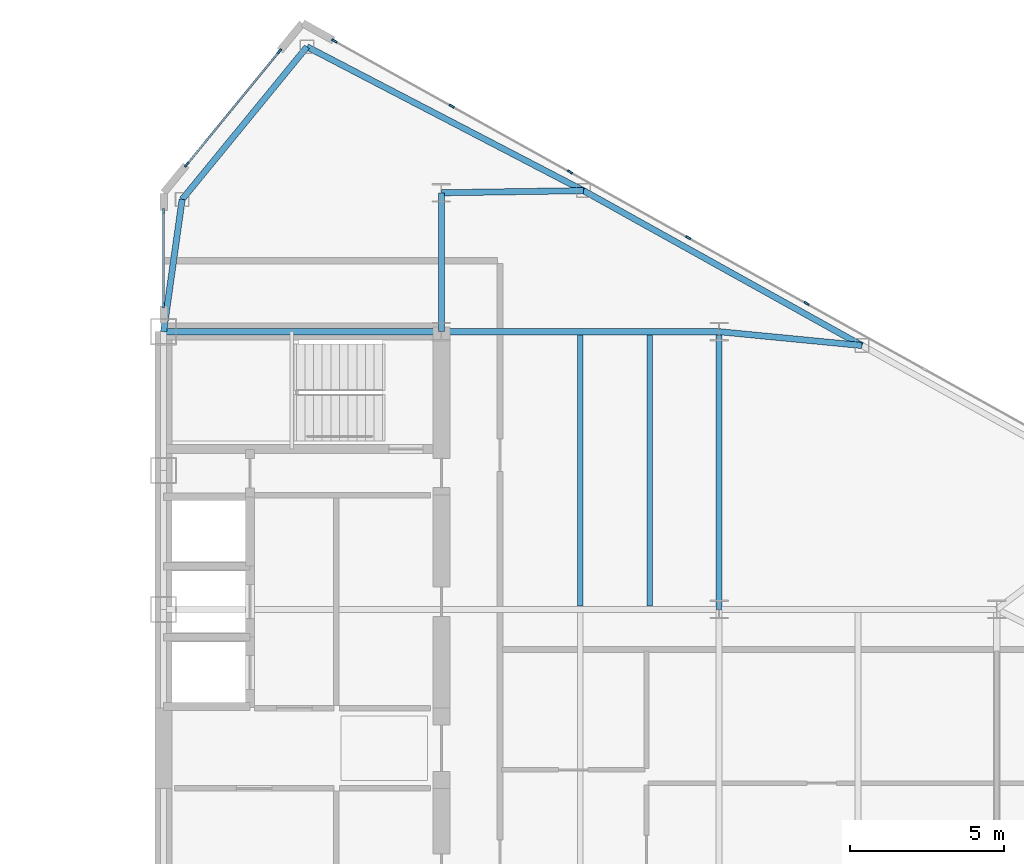
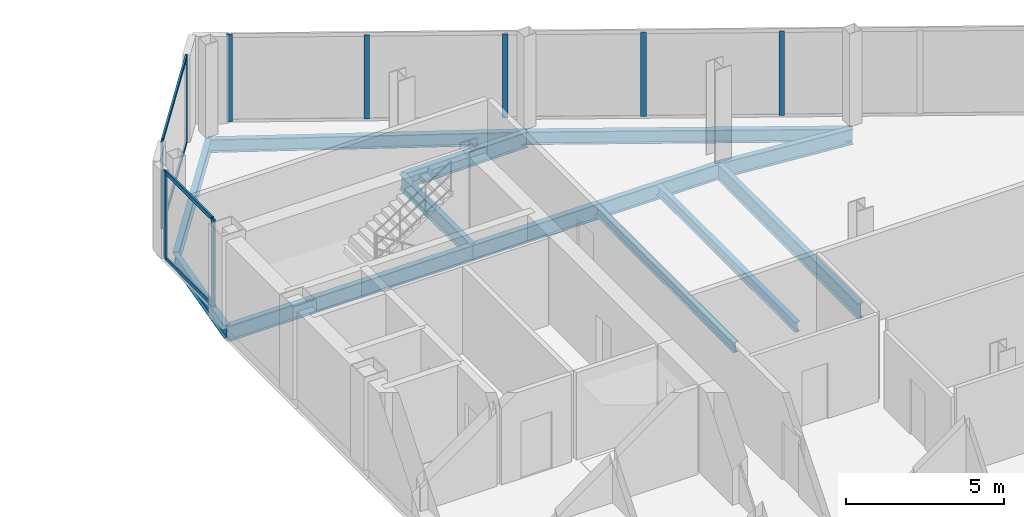
# One storey, part 15 of 25: 13 members, 12 beams, 3 elements without a shape of their own.
"""IFC4 building model written with IfcOpenShell, lengths in metres."""

import ifcopenshell
import ifcopenshell.guid

model = None  # the IFC model being written
_history = None  # IfcOwnerHistory: only IFC2X3 demands one
_inside = {}  # id of a spatial element -> (the spatial element, [elements in it])
_under = {}  # id of a project, library or spatial element -> (it, [spatial elements below it])
_declared = {}  # id of a project -> (the project, [libraries it declares])
_typed = {}  # id of a type object -> (the type object, [elements of that type])
_made_of = {}  # id of a material, layer set ... -> (it, [elements and type objects made of it])


def new_model(schema):
    """Start an empty IFC model of exactly this schema.

    Asked for "IFC4X3", IfcOpenShell would pick the latest addendum, in which some entities
    have other attributes; the version numbers below select the first issue.
    IFC2X3 requires an IfcOwnerHistory on every rooted entity: one is made here for all.
    """
    global model, _history
    if schema == "IFC4X3":
        model = ifcopenshell.file(schema_version=(4, 3, 0, 0))
    else:
        model = ifcopenshell.file(schema=schema)
    _inside.clear()
    _under.clear()
    _declared.clear()
    _typed.clear()
    _made_of.clear()
    _history = None
    if model.schema == "IFC2X3":
        org = make("IfcOrganization", Name="unknown")
        user = make(
            "IfcPersonAndOrganization",
            ThePerson=make("IfcPerson", FamilyName="unknown"),
            TheOrganization=org,
        )
        app = make(
            "IfcApplication",
            ApplicationDeveloper=org,
            Version="unknown",
            ApplicationFullName="unknown",
            ApplicationIdentifier="unknown",
        )
        _history = make(
            "IfcOwnerHistory",
            OwningUser=user,
            OwningApplication=app,
            ChangeAction="ADDED",
            CreationDate=0,
        )
    return model


def make(cls, **values):
    """One entity of the class cls with the attributes given. An attribute that is None is left unset."""
    return model.create_entity(
        cls, **{name: value for name, value in values.items() if value is not None}
    )


def rooted(cls, **values):
    """An entity with a GlobalId (a new one), such as an element, a storey or a relation."""
    return make(cls, GlobalId=ifcopenshell.guid.new(), OwnerHistory=_history, **values)


def si_unit(unit_type, name, prefix=None):
    """IfcSIUnit, for example si_unit("LENGTHUNIT", "METRE", prefix="MILLI")."""
    return make("IfcSIUnit", UnitType=unit_type, Prefix=prefix, Name=name)


def assignment(units):
    """IfcUnitAssignment: the units of a project."""
    return None if units is None else make("IfcUnitAssignment", Units=units)


def point(xyz):
    """IfcCartesianPoint."""
    return None if xyz is None else make("IfcCartesianPoint", Coordinates=xyz)


def direction(xyz):
    """IfcDirection."""
    return None if xyz is None else make("IfcDirection", DirectionRatios=xyz)


def frame(location, z_axis=None, x_axis=None):
    """IfcAxis2Placement3D, a coordinate frame: its origin and axes. An axis left out is left unset."""
    return make(
        "IfcAxis2Placement3D",
        Location=point(location),
        Axis=direction(z_axis),
        RefDirection=direction(x_axis),
    )


def frame_2d(location, x_axis=None):
    """IfcAxis2Placement2D, a coordinate frame in the plane: its origin and x axis."""
    return make(
        "IfcAxis2Placement2D", Location=point(location), RefDirection=direction(x_axis)
    )


def origin():
    """The frame at (0, 0, 0) with its axes left unset."""
    return frame((0.0, 0.0, 0.0))


def origin_2d():
    """The frame at (0, 0) in the plane with its x axis left unset."""
    return frame_2d((0.0, 0.0))


def place(relative_to, where):
    """IfcLocalPlacement: puts the frame where relative to a parent placement (None: the world)."""
    return make(
        "IfcLocalPlacement", PlacementRelTo=relative_to, RelativePlacement=where
    )


def context(
    kind, dimensions, precision=None, world=None, true_north=None, identifier=None
):
    """IfcGeometricRepresentationContext, for example the 3D "Model" context."""
    return make(
        "IfcGeometricRepresentationContext",
        ContextIdentifier=identifier,
        ContextType=kind,
        CoordinateSpaceDimension=dimensions,
        Precision=precision,
        WorldCoordinateSystem=world,
        TrueNorth=true_north,
    )


def subcontext(parent, identifier, kind, view, scale=None):
    """IfcGeometricRepresentationSubContext, for example "Body" below "Model"."""
    return make(
        "IfcGeometricRepresentationSubContext",
        ContextIdentifier=identifier,
        ContextType=kind,
        ParentContext=parent,
        TargetScale=scale,
        TargetView=view,
    )


def project(units=None, contexts=None):
    """IfcProject with its units and contexts."""
    return rooted(
        "IfcProject",
        Name="project",
        RepresentationContexts=contexts,
        UnitsInContext=assignment(units),
    )


def spatial(cls, under=None, at=None, **own):
    """A site, building, storey or space (cls), placed at a placement, below another one or the project."""
    s = rooted(cls, ObjectPlacement=at, **own)
    if under is not None:
        _under.setdefault(under.id(), (under, []))[1].append(s)
    return s


def profile(cls, at=None, kind="AREA", **sizes):
    """A parametric profile (cls). Its sizes go by their IFC names, for example OverallWidth=200.0."""
    return make(cls, ProfileType=kind, Position=at, **sizes)


def rectangle(**sizes):
    """IfcRectangleProfileDef."""
    return profile("IfcRectangleProfileDef", **sizes)


def i_section(**sizes):
    """IfcIShapeProfileDef."""
    return profile("IfcIShapeProfileDef", **sizes)


def extrude(swept, where, along, depth):
    """IfcExtrudedAreaSolid: the profile swept, set in the frame where, extruded along a direction by depth."""
    return make(
        "IfcExtrudedAreaSolid",
        SweptArea=swept,
        Position=where,
        ExtrudedDirection=direction(along),
        Depth=depth,
    )


def shape(context_of_items, identifier, shape_type, items):
    """IfcShapeRepresentation: the items that make up one representation, for example the "Body"."""
    return make(
        "IfcShapeRepresentation",
        ContextOfItems=context_of_items,
        RepresentationIdentifier=identifier,
        RepresentationType=shape_type,
        Items=items,
    )


def source(mapping_origin, context_of_items, identifier, shape_type, items):
    """IfcRepresentationMap: a shape defined once, which mapped items show again and again."""
    return make(
        "IfcRepresentationMap",
        MappingOrigin=mapping_origin,
        MappedRepresentation=shape(context_of_items, identifier, shape_type, items),
    )


def transform(
    local_origin,
    x_axis=None,
    y_axis=None,
    z_axis=None,
    scale=None,
    scale2=None,
    scale3=None,
    uniform=True,
):
    """IfcCartesianTransformationOperator3D, or its non-uniform kind. x_axis, y_axis, z_axis: its Axis1, 2, 3."""
    if uniform:
        return make(
            "IfcCartesianTransformationOperator3D",
            Axis1=direction(x_axis),
            Axis2=direction(y_axis),
            LocalOrigin=point(local_origin),
            Scale=scale,
            Axis3=direction(z_axis),
        )
    return make(
        "IfcCartesianTransformationOperator3DnonUniform",
        Axis1=direction(x_axis),
        Axis2=direction(y_axis),
        LocalOrigin=point(local_origin),
        Scale=scale,
        Axis3=direction(z_axis),
        Scale2=scale2,
        Scale3=scale3,
    )


def mapped(mapping_source, mapping_target):
    """IfcMappedItem: shows the shape of a source again, moved by a transform."""
    return make(
        "IfcMappedItem", MappingSource=mapping_source, MappingTarget=mapping_target
    )


def material(Name=None, Category=None):
    """IfcMaterial."""
    return make("IfcMaterial", Name=Name, Category=Category)


def layer(
    of_material, thickness, ventilated=None, Name=None, Category=None, Priority=None
):
    """IfcMaterialLayer: one layer of a wall or slab, of a material (None: an air gap)."""
    return make(
        "IfcMaterialLayer",
        Material=of_material,
        LayerThickness=thickness,
        IsVentilated=ventilated,
        Name=Name,
        Category=Category,
        Priority=Priority,
    )


def layer_set(layers, Name=None):
    """IfcMaterialLayerSet."""
    return make("IfcMaterialLayerSet", MaterialLayers=layers, LayerSetName=Name)


def material_profile(
    of_material, cross_section, Name=None, Category=None, Priority=None
):
    """IfcMaterialProfile: a cross section and its material."""
    return make(
        "IfcMaterialProfile",
        Name=Name,
        Material=of_material,
        Profile=cross_section,
        Priority=Priority,
        Category=Category,
    )


def profile_set(profiles, Name=None, composite=None):
    """IfcMaterialProfileSet."""
    return make(
        "IfcMaterialProfileSet",
        Name=Name,
        MaterialProfiles=profiles,
        CompositeProfile=composite,
    )


def made_of(thing, what):
    """Note that an element or type object is made of a material, layer set ...; save() writes the relation."""
    if what is not None:
        _made_of.setdefault(what.id(), (what, []))[1].append(thing)
    return thing


def type_object(cls, material=None, **own):
    """A type object (cls), such as IfcWallType, which elements share."""
    return made_of(rooted(cls, **own), material)


def type_shapes(of_type, sources):
    """Give a type object the sources (RepresentationMaps) that its elements show as mapped items."""
    of_type.RepresentationMaps = sources


def element(
    cls,
    number,
    at=None,
    inside=None,
    cuts=None,
    type_object=None,
    material=None,
    context=None,
    identifier="Body",
    shape_type=None,
    held_by="IfcProductDefinitionShape",
    body=None,
    shapes=None,
    **own,
):
    """One element of the class cls, such as IfcWall. Its Tag is "e" and its number.

    at: its placement. inside: the storey or other place that contains it. cuts: it is an
    opening in that element (IfcRelVoidsElement). A single representation is given by context,
    identifier, shape_type and body (its items); several are given by shapes. held_by: the class
    of the entity that holds the representations. save() writes the other relations.
    """
    e = rooted(cls, Tag="e%d" % number, ObjectPlacement=at, **own)
    if body is not None:
        shapes = [shape(context, identifier, shape_type, body)]
    if shapes is not None:
        e.Representation = make(held_by, Representations=shapes)
    if inside is not None:
        _inside.setdefault(inside.id(), (inside, []))[1].append(e)
    if cuts is not None:
        rooted(
            "IfcRelVoidsElement", RelatingBuildingElement=cuts, RelatedOpeningElement=e
        )
    if type_object is not None:
        _typed.setdefault(type_object.id(), (type_object, []))[1].append(e)
    return made_of(e, material)


def aggregate(whole, parts):
    """IfcRelAggregates: a whole, such as a stair, and the parts it consists of."""
    return rooted("IfcRelAggregates", RelatingObject=whole, RelatedObjects=parts)


def save(model, path):
    """Write the relations noted so far, then the file.

    IfcRelAggregates (storeys below a building ...), IfcRelContainedInSpatialStructure (elements
    in a storey), IfcRelDefinesByType, IfcRelAssociatesMaterial and IfcRelDeclares: one each for
    every whole, place, type object, material and project.
    """
    for whole, parts in _under.values():
        aggregate(whole, parts)
    for where, things in _inside.values():
        rooted(
            "IfcRelContainedInSpatialStructure",
            RelatedElements=things,
            RelatingStructure=where,
        )
    for kind, things in _typed.values():
        rooted("IfcRelDefinesByType", RelatedObjects=things, RelatingType=kind)
    for what, things in _made_of.values():
        rooted("IfcRelAssociatesMaterial", RelatedObjects=things, RelatingMaterial=what)
    for by, libraries in _declared.values():
        rooted("IfcRelDeclares", RelatingContext=by, RelatedDefinitions=libraries)
    model.write(path)


model = new_model("IFC4")

# Units and contexts
model_context = context("Model", 3, precision=1e-05, world=origin(), true_north=direction((0.0, 1.0)))
body_context = subcontext(model_context, "Body", "Model", "MODEL_VIEW")
ifc_project = project(units=[si_unit("LENGTHUNIT", "METRE"), si_unit("AREAUNIT", "SQUARE_METRE"), si_unit("VOLUMEUNIT", "CUBIC_METRE"), si_unit("PLANEANGLEUNIT", "RADIAN"), si_unit("MASSUNIT", "GRAM", prefix="KILO")], contexts=[model_context])

# Site, building, storey
site_placement = place(None, origin())
site = spatial("IfcSite", under=ifc_project, at=site_placement, CompositionType="ELEMENT")
building_placement = place(site_placement, origin())
building = spatial("IfcBuilding", under=site, at=building_placement, Name="Seokmaru Belvedere", CompositionType="ELEMENT")
storey_placement = place(building_placement, frame((0.0, 0.0, 188.699951171875)))
storey = spatial("IfcBuildingStorey", under=building, at=storey_placement, Name="L50", CompositionType="ELEMENT", Elevation=188.699951171875)

# Beams
ifc_material_1 = material(Name="Steel SM355 (355 MPa)", Category="steel")
ifc_material_profile_1 = material_profile(ifc_material_1, i_section(OverallWidth=0.199951171875, OverallDepth=0.60009765625, WebThickness=0.010986328125, FlangeThickness=0.01708984375, at=origin_2d()), Name="H-600x200x11x17")
ifc_profile_set_1 = profile_set([ifc_material_profile_1], Name="Steel SM355 (355 MPa)")
beam_type_1 = type_object("IfcBeamType", Name="Primary Floor Girder H-600", PredefinedType="BEAM", material=ifc_profile_set_1)
shared_shape_1 = source(origin(), body_context, "Body", "SweptSolid", [
    extrude(i_section(OverallWidth=0.199951171875, OverallDepth=0.60009765625, WebThickness=0.010986328125, FlangeThickness=0.01708984375, at=origin_2d()), origin(), (0.0, 0.0, 1.0), 9.0),
])
for number, where, z_axis, x_axis, name in (
    (1, (45.5, 4.5, -0.52001953125), (0.0, 1.0, 0.0), (-1.0, 0.0, 0.0), "L50 E Interior Grid Girder 3"),
    (2, (27.5, 13.5, -0.52001953125), (1.0, 0.0, 0.0), (0.0, 1.0, 0.0), "L50 E Core Tie Girder 4"),
    (3, (36.5, 13.5, -0.52001953125), (1.0, 0.0, 0.0), (0.0, 1.0, 0.0), "L50 E Wing Primary Girder 4"),
):
    element("IfcBeam", number, at=place(storey_placement, frame(where, z_axis=z_axis, x_axis=x_axis)), inside=storey, type_object=beam_type_1, Name=name, PredefinedType="BEAM", context=body_context, shape_type="MappedRepresentation", body=[
        mapped(shared_shape_1, transform((0.0, 0.0, 0.0), scale=1.0)),
    ])
ifc_material_profile_2 = material_profile(ifc_material_1, i_section(OverallWidth=0.18505859375, OverallDepth=0.389892578125, WebThickness=0.008056640625, FlangeThickness=0.011962890625, at=origin_2d()), Name="H-390x185x8x12")
ifc_profile_set_2 = profile_set([ifc_material_profile_2], Name="Steel SM355 (355 MPa)")
beam_type_2 = type_object("IfcBeamType", Name="Secondary Floor Joist H-350", PredefinedType="JOIST", material=ifc_profile_set_2)
shared_shape_2 = source(origin(), body_context, "Body", "SweptSolid", [
    extrude(i_section(OverallWidth=0.18505859375, OverallDepth=0.389892578125, WebThickness=0.008056640625, FlangeThickness=0.011962890625, at=origin_2d()), origin(), (0.0, 0.0, 1.0), 8.7900390625),
])
type_shapes(beam_type_2, [shared_shape_2])
for number, where, z_axis, x_axis, name in (
    (4, (43.25, 4.60498046875, -0.4150390625), (0.0, 1.0, 0.0), (-1.0, 0.0, 0.0), "L50 E Wing Inner Secondary Joist 2"),
    (5, (41.0, 4.60498046875, -0.4150390625), (0.0, 1.0, 0.0), (-1.0, 0.0, 0.0), "L50 E Secondary Floor Joist 3"),
):
    element("IfcBeam", number, at=place(storey_placement, frame(where, z_axis=z_axis, x_axis=x_axis)), inside=storey, type_object=beam_type_2, Name=name, PredefinedType="JOIST", context=body_context, shape_type="MappedRepresentation", body=[
        mapped(shared_shape_2, transform((0.0, 0.0, 0.0), scale=1.0)),
    ])
shared_shape_3 = source(origin(), body_context, "Body", "SweptSolid", [
    extrude(i_section(OverallWidth=0.199951171875, OverallDepth=0.60009765625, WebThickness=0.010986328125, FlangeThickness=0.01708984375, at=origin_2d()), origin(), (0.0, 0.0, 1.0), 4.5),
])
beam_1_placement = place(storey_placement, frame((36.5, 13.5, -0.52001953125), z_axis=(0.0, 1.0, 0.0), x_axis=(-1.0, 0.0, 0.0)))
element("IfcBeam", 6, at=beam_1_placement, inside=storey, type_object=beam_type_1, Name="L50 E Core Shoulder Girder N", PredefinedType="BEAM", context=body_context, shape_type="MappedRepresentation", body=[
    mapped(shared_shape_3, transform((0.0, 0.0, 0.0), scale=1.0)),
])
ifc_material_profile_3 = material_profile(ifc_material_1, i_section(OverallWidth=0.199951171875, OverallDepth=0.5, WebThickness=0.010009765625, FlangeThickness=0.01611328125, at=origin_2d()), Name="H-500x200x10x16")
ifc_profile_set_3 = profile_set([ifc_material_profile_3], Name="Steel SM355 (355 MPa)")
beam_type_3 = type_object("IfcBeamType", Name="Perimeter Spandrel Beam H-500", PredefinedType="SPANDREL", material=ifc_profile_set_3)
shared_shape_4 = source(origin(), body_context, "Body", "SweptSolid", [
    extrude(i_section(OverallWidth=0.199951171875, OverallDepth=0.5, WebThickness=0.010009765625, FlangeThickness=0.01611328125, at=origin_2d()), origin(), (0.0, 0.0, 1.0), 10.09716796875),
])
beam_2_placement = place(storey_placement, frame((32.146728515625, 22.731689453125, -0.469970703125), z_axis=(0.887085728914, -0.461604711369, 0.0), x_axis=(0.461604711369, 0.887085728914, 0.0)))
element("IfcBeam", 7, at=beam_2_placement, inside=storey, type_object=beam_type_3, Name="L50 E Faceted Flank Spandrel N-1", PredefinedType="SPANDREL", context=body_context, shape_type="MappedRepresentation", body=[
    mapped(shared_shape_4, transform((0.0, 0.0, 0.0), scale=1.0)),
])
shared_shape_5 = source(origin(), body_context, "Body", "SweptSolid", [
    extrude(i_section(OverallWidth=0.199951171875, OverallDepth=0.5, WebThickness=0.010009765625, FlangeThickness=0.01611328125, at=origin_2d()), origin(), (0.0, 0.0, 1.0), 10.327392578125),
])
beam_3_placement = place(storey_placement, frame((41.103759765625, 18.07080078125, -0.469970703125), z_axis=(0.873924120588, -0.486062374037, 0.0), x_axis=(0.486062374037, 0.873924120588, 0.0)))
element("IfcBeam", 8, at=beam_3_placement, inside=storey, type_object=beam_type_3, Name="L50 E Faceted Flank Spandrel N-2", PredefinedType="SPANDREL", context=body_context, shape_type="MappedRepresentation", body=[
    mapped(shared_shape_5, transform((0.0, 0.0, 0.0), scale=1.0)),
])
shared_shape_6 = source(origin(), body_context, "Body", "SweptSolid", [
    extrude(i_section(OverallWidth=0.199951171875, OverallDepth=0.5, WebThickness=0.010009765625, FlangeThickness=0.01611328125, at=origin_2d()), origin(), (0.0, 0.0, 1.0), 6.390380859375),
])
beam_4_placement = place(storey_placement, frame((32.146728515625, 22.731689453125, -0.469970703125), z_axis=(-0.63324403161, -0.7739521926, 0.0), x_axis=(0.7739521926, -0.63324403161, 0.0)))
element("IfcBeam", 9, at=beam_4_placement, inside=storey, type_object=beam_type_3, Name="L50 E Shoulder Chamfer Spandrel N", PredefinedType="SPANDREL", context=body_context, shape_type="MappedRepresentation", body=[
    mapped(shared_shape_6, transform((0.0, 0.0, 0.0), scale=1.0)),
])
shared_shape_7 = source(origin(), body_context, "Body", "SweptSolid", [
    extrude(i_section(OverallWidth=0.199951171875, OverallDepth=0.5, WebThickness=0.010009765625, FlangeThickness=0.01611328125, at=origin_2d()), origin(), (0.0, 0.0, 1.0), 4.32763671875),
])
type_shapes(beam_type_3, [shared_shape_4, shared_shape_5, shared_shape_6, shared_shape_7])
beam_5_placement = place(storey_placement, frame((28.10009765625, 17.785888671875, -0.469970703125), z_axis=(-0.138664443237, -0.990339422714, 0.0), x_axis=(0.990339422714, -0.138664443237, 0.0)))
element("IfcBeam", 10, at=beam_5_placement, inside=storey, type_object=beam_type_3, Name="L50 E Shoulder Spine Spandrel N", PredefinedType="SPANDREL", context=body_context, shape_type="MappedRepresentation", body=[
    mapped(shared_shape_7, transform((0.0, 0.0, 0.0), scale=1.0)),
])
shared_shape_8 = source(origin(), body_context, "Body", "SweptSolid", [
    extrude(i_section(OverallWidth=0.199951171875, OverallDepth=0.60009765625, WebThickness=0.010986328125, FlangeThickness=0.01708984375, at=origin_2d()), origin(), (0.0, 0.0, 1.0), 4.604248046875),
])
beam_6_placement = place(storey_placement, frame((41.103759765625, 18.07080078125, -0.52001953125), z_axis=(-0.999881765622, -0.01537708607, 0.0), x_axis=(0.01537708607, -0.999881765622, 0.0)))
element("IfcBeam", 11, at=beam_6_placement, inside=storey, type_object=beam_type_1, Name="L50 E Flank Radial Floor Girder N-1", PredefinedType="BEAM", context=body_context, shape_type="MappedRepresentation", body=[
    mapped(shared_shape_8, transform((0.0, 0.0, 0.0), scale=1.0)),
])
shared_shape_9 = source(origin(), body_context, "Body", "SweptSolid", [
    extrude(i_section(OverallWidth=0.199951171875, OverallDepth=0.60009765625, WebThickness=0.010986328125, FlangeThickness=0.01708984375, at=origin_2d()), origin(), (0.0, 0.0, 1.0), 4.65087890625),
])
type_shapes(beam_type_1, [shared_shape_1, shared_shape_3, shared_shape_8, shared_shape_9])
beam_7_placement = place(storey_placement, frame((50.129150390625, 13.051025390625, -0.52001953125), z_axis=(-0.995329534874, 0.09653557379, 0.0), x_axis=(-0.09653557379, -0.995329534874, 0.0)))
element("IfcBeam", 12, at=beam_7_placement, inside=storey, type_object=beam_type_1, Name="L50 E Flank Radial Floor Girder N-2", PredefinedType="BEAM", context=body_context, shape_type="MappedRepresentation", body=[
    mapped(shared_shape_9, transform((0.0, 0.0, 0.0), scale=1.0)),
])

# Curtain wall, members
ifc_material_2 = material(Name="Bronze Triple Insulating Glass", Category="glass")
ifc_layer = layer(ifc_material_2, 0.179931640625)
ifc_layer_set = layer_set([ifc_layer], Name="Bronze Triple Insulating Glass")
curtain_wall_type = type_object("IfcCurtainWallType", Name="High-Rise Wind-Corner Curtain Wall System CW-5", PredefinedType="NOTDEFINED", material=ifc_layer_set)
curtain_wall_1_placement = place(storey_placement, origin())
curtain_wall_1 = element("IfcCurtainWall", 13, at=curtain_wall_1_placement, inside=storey, type_object=curtain_wall_type, Name="L50 Curtain Wall ESP_2", PredefinedType="NOTDEFINED")
ifc_material_3 = material(Name="Anodised Bronze Aluminium", Category="aluminium")
ifc_material_profile_4 = material_profile(ifc_material_3, rectangle(XDim=0.06494140625, YDim=0.14990234375, at=origin_2d()), Name="CW-T-65x150")
ifc_profile_set_4 = profile_set([ifc_material_profile_4], Name="Anodised Bronze Aluminium")
member_type_1 = type_object("IfcMemberType", Name="Bronze Unitised Transom 65x150", PredefinedType="USERDEFINED", material=ifc_profile_set_4)
shared_shape_10 = source(origin(), body_context, "Body", "SweptSolid", [
    extrude(rectangle(XDim=0.06494140625, YDim=0.14990234375, at=origin_2d()), origin(), (0.0, 0.0, 1.0), 2.969970703125),
])
member_1_placement = place(storey_placement, frame((27.5, 17.364990234375, 0.032470703125), z_axis=(0.0, -1.0, 0.0), x_axis=(1.0, 0.0, 0.0)))
member_1 = element("IfcMember", 14, at=member_1_placement, type_object=member_type_1, Name="CW:L50:ESP_2 Continuous Transom 1", ObjectType="TRANSOM", PredefinedType="USERDEFINED", context=body_context, shape_type="MappedRepresentation", body=[
    mapped(shared_shape_10, transform((0.0, 0.0, 0.0), scale=1.0)),
])
member_2_placement = place(storey_placement, frame((27.5, 17.364990234375, 3.34765625), z_axis=(0.0, -1.0, 0.0), x_axis=(1.0, 0.0, 0.0)))
member_2 = element("IfcMember", 15, at=member_2_placement, type_object=member_type_1, Name="CW:L50:ESP_2 Continuous Transom 2", ObjectType="TRANSOM", PredefinedType="USERDEFINED", context=body_context, shape_type="MappedRepresentation", body=[
    mapped(shared_shape_10, transform((0.0, 0.0, 0.0), scale=1.0)),
])

curtain_wall_2_placement = place(storey_placement, origin())
curtain_wall_2 = element("IfcCurtainWall", 16, at=curtain_wall_2_placement, inside=storey, type_object=curtain_wall_type, Name="L50 Curtain Wall EF4", PredefinedType="NOTDEFINED")
shared_shape_11 = source(origin(), body_context, "Body", "SweptSolid", [
    extrude(rectangle(XDim=0.06494140625, YDim=0.14990234375, at=origin_2d()), origin(), (0.0, 0.0, 1.0), 4.67626953125),
])
type_shapes(member_type_1, [shared_shape_10, shared_shape_11])
member_3_placement = place(storey_placement, frame((31.230712890625, 22.5595703125, 0.032470703125), z_axis=(-0.633277591216, -0.773924733074, 0.0), x_axis=(0.773924733074, -0.633277591216, 0.0)))
member_3 = element("IfcMember", 17, at=member_3_placement, type_object=member_type_1, Name="CW:L50:EF4 Continuous Transom 1", ObjectType="TRANSOM", PredefinedType="USERDEFINED", context=body_context, shape_type="MappedRepresentation", body=[
    mapped(shared_shape_11, transform((0.0, 0.0, 0.0), scale=1.0)),
])
member_4_placement = place(storey_placement, frame((31.230712890625, 22.5595703125, 3.34765625), z_axis=(-0.633277591216, -0.773924733074, 0.0), x_axis=(0.773924733074, -0.633277591216, 0.0)))
member_4 = element("IfcMember", 18, at=member_4_placement, type_object=member_type_1, Name="CW:L50:EF4 Continuous Transom 2", ObjectType="TRANSOM", PredefinedType="USERDEFINED", context=body_context, shape_type="MappedRepresentation", body=[
    mapped(shared_shape_11, transform((0.0, 0.0, 0.0), scale=1.0)),
])

curtain_wall_3_placement = place(storey_placement, origin())
curtain_wall_3 = element("IfcCurtainWall", 19, at=curtain_wall_3_placement, inside=storey, type_object=curtain_wall_type, Name="L50 Curtain Wall EF3", PredefinedType="NOTDEFINED")
ifc_material_profile_5 = material_profile(ifc_material_3, rectangle(XDim=0.06494140625, YDim=0.179931640625, at=origin_2d()), Name="CW-M-65x180")
ifc_profile_set_5 = profile_set([ifc_material_profile_5], Name="Anodised Bronze Aluminium")
member_type_2 = type_object("IfcMemberType", Name="Bronze Unitised Mullion 65x180", PredefinedType="MULLION", material=ifc_profile_set_5)
shared_shape_12 = source(origin(), body_context, "Body", "SweptSolid", [
    extrude(rectangle(XDim=0.06494140625, YDim=0.179931640625, at=origin_2d()), origin(), (0.0, 0.0, 1.0), 3.25),
])
member_5_placement = place(storey_placement, frame((48.333984375, 14.415771484375, 0.06494140625), z_axis=(0.0, 0.0, 1.0), x_axis=(-0.486047125147, -0.873932601598, 0.0)))
member_5 = element("IfcMember", 20, at=member_5_placement, type_object=member_type_2, Name="CW:L50:EF3 Mullion 6", PredefinedType="MULLION", context=body_context, shape_type="MappedRepresentation", body=[
    mapped(shared_shape_12, transform((0.0, 0.0, 0.0), scale=1.0)),
])
member_6_placement = place(storey_placement, frame((44.501708984375, 16.547119140625, 0.06494140625), z_axis=(0.0, 0.0, 1.0), x_axis=(-0.486047125147, -0.873932601598, 0.0)))
member_6 = element("IfcMember", 21, at=member_6_placement, type_object=member_type_2, Name="CW:L50:EF3 Mullion 7", PredefinedType="MULLION", context=body_context, shape_type="MappedRepresentation", body=[
    mapped(shared_shape_12, transform((0.0, 0.0, 0.0), scale=1.0)),
])
member_7_placement = place(storey_placement, frame((40.66943359375, 18.67822265625, 0.06494140625), z_axis=(0.0, 0.0, 1.0), x_axis=(-0.486047125147, -0.873932601598, 0.0)))
member_7 = element("IfcMember", 22, at=member_7_placement, type_object=member_type_2, Name="CW:L50:EF3 Mullion 8", PredefinedType="MULLION", context=body_context, shape_type="MappedRepresentation", body=[
    mapped(shared_shape_12, transform((0.0, 0.0, 0.0), scale=1.0)),
])
member_8_placement = place(storey_placement, frame((36.837158203125, 20.809814453125, 0.06494140625), z_axis=(0.0, 0.0, 1.0), x_axis=(-0.486047125147, -0.873932601598, 0.0)))
member_8 = element("IfcMember", 23, at=member_8_placement, type_object=member_type_2, Name="CW:L50:EF3 Mullion 9", PredefinedType="MULLION", context=body_context, shape_type="MappedRepresentation", body=[
    mapped(shared_shape_12, transform((0.0, 0.0, 0.0), scale=1.0)),
])
shared_shape_13 = source(origin(), body_context, "Body", "SweptSolid", [
    extrude(rectangle(XDim=0.06494140625, YDim=0.179931640625, at=origin_2d()), origin(), (0.0, 0.0, 1.0), 3.380126953125),
])
type_shapes(member_type_2, [shared_shape_12, shared_shape_13])
member_9_placement = place(storey_placement, frame((33.033447265625, 22.92529296875, 0.0), z_axis=(0.0, 0.0, 1.0), x_axis=(-0.486047125147, -0.873932601598, 0.0)))
member_9 = element("IfcMember", 24, at=member_9_placement, type_object=member_type_2, Name="CW:L50:EF3 Mullion 10", PredefinedType="MULLION", context=body_context, shape_type="MappedRepresentation", body=[
    mapped(shared_shape_13, transform((0.0, 0.0, 0.0), scale=1.0)),
])
aggregate(curtain_wall_3, [member_5, member_6, member_7, member_8, member_9])

# Member
member_10_placement = place(storey_placement, frame((31.251220703125, 22.584716796875, 0.0), z_axis=(0.0, 0.0, 1.0), x_axis=(0.773944112379, -0.633253907144, 0.0)))
member_10 = element("IfcMember", 25, at=member_10_placement, type_object=member_type_2, Name="CW:L50:EF4 Mullion 1", PredefinedType="MULLION", context=body_context, shape_type="MappedRepresentation", body=[
    mapped(shared_shape_13, transform((0.0, 0.0, 0.0), scale=1.0)),
])

member_11_placement = place(storey_placement, frame((28.248779296875, 18.915283203125, 0.0), z_axis=(0.0, 0.0, 1.0), x_axis=(0.773944112379, -0.633253907144, 0.0)))
member_11 = element("IfcMember", 26, at=member_11_placement, type_object=member_type_2, Name="CW:L50:EF4 Mullion 2", PredefinedType="MULLION", context=body_context, shape_type="MappedRepresentation", body=[
    mapped(shared_shape_13, transform((0.0, 0.0, 0.0), scale=1.0)),
])

aggregate(curtain_wall_2, [member_10, member_11, member_3, member_4])

member_12_placement = place(storey_placement, frame((27.5, 17.3974609375, 0.0), z_axis=(0.0, 0.0, 1.0), x_axis=(1.0, 0.0, 0.0)))
member_12 = element("IfcMember", 27, at=member_12_placement, type_object=member_type_2, Name="CW:L50:ESP_2 Mullion 1", PredefinedType="MULLION", context=body_context, shape_type="MappedRepresentation", body=[
    mapped(shared_shape_13, transform((0.0, 0.0, 0.0), scale=1.0)),
])

member_13_placement = place(storey_placement, frame((27.5, 14.362548828125, 0.0), z_axis=(0.0, 0.0, 1.0), x_axis=(1.0, 0.0, 0.0)))
member_13 = element("IfcMember", 28, at=member_13_placement, type_object=member_type_2, Name="CW:L50:ESP_2 Mullion 2", PredefinedType="MULLION", context=body_context, shape_type="MappedRepresentation", body=[
    mapped(shared_shape_13, transform((0.0, 0.0, 0.0), scale=1.0)),
])

aggregate(curtain_wall_1, [member_12, member_13, member_1, member_2])

save(model, "model.ifc")
